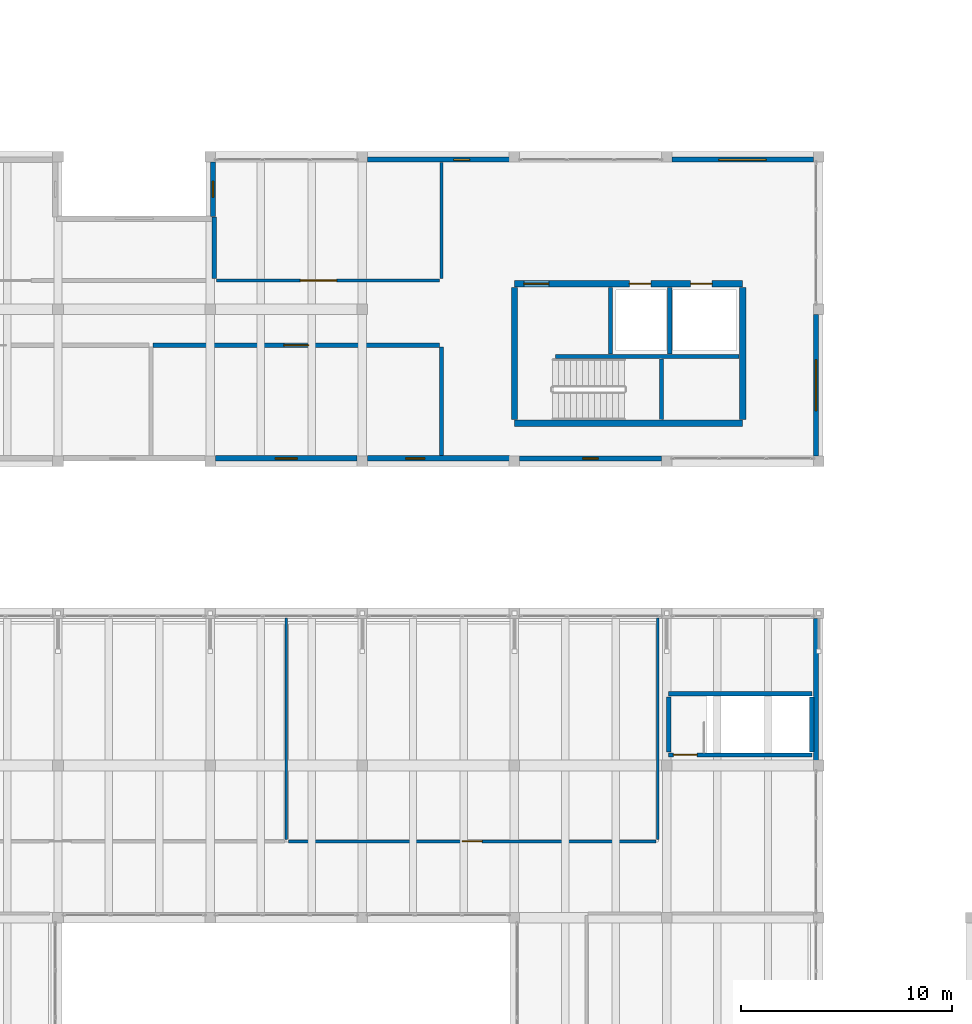
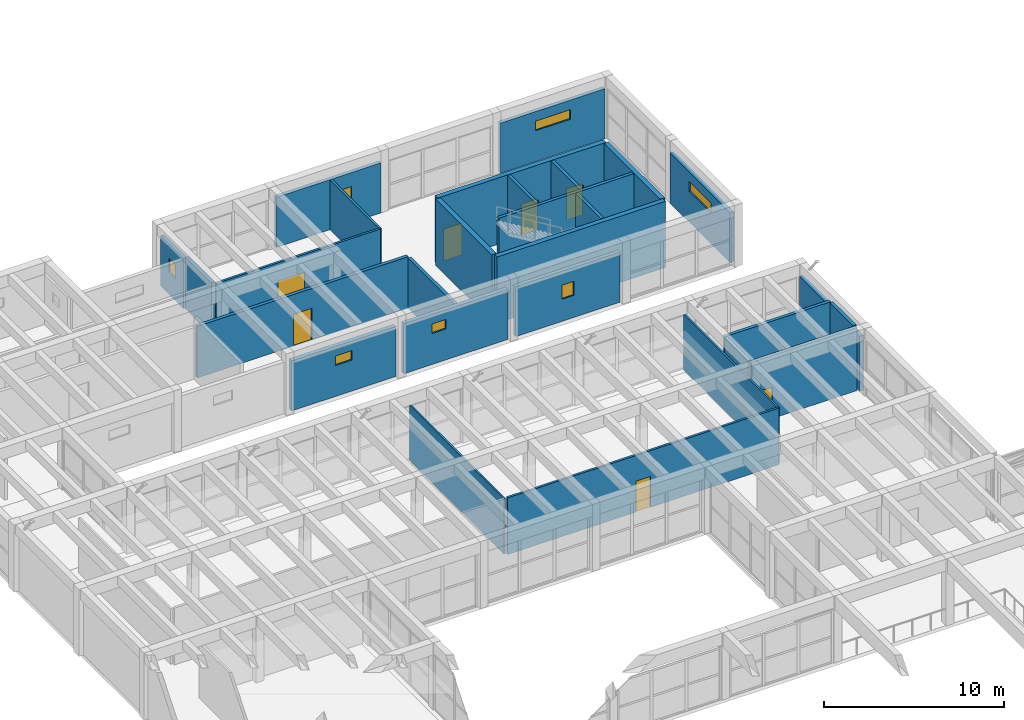
# One storey, part 141 of 153: 28 walls, 7 doors, 7 windows, 14 openings.
"""IFC4 building model written with IfcOpenShell, lengths in metres."""

from ifc_helpers import new_model, si_unit, direction, frame, frame_2d, origin, place, context, subcontext, project, spatial, rectangle, extrude, material, layer, layer_set, type_object, element, fill, save


model = new_model("IFC4")

# Units and contexts
model_context = context("Model", 3, precision=1e-05, world=origin(), true_north=direction((0.0, 1.0)))
body_context = subcontext(model_context, "Body", "Model", "MODEL_VIEW")
ifc_project = project(units=[si_unit("LENGTHUNIT", "METRE"), si_unit("AREAUNIT", "SQUARE_METRE"), si_unit("VOLUMEUNIT", "CUBIC_METRE"), si_unit("PLANEANGLEUNIT", "RADIAN"), si_unit("MASSUNIT", "GRAM", prefix="KILO")], contexts=[model_context])

# Site, building, storey
site_placement = place(None, origin())
site = spatial("IfcSite", under=ifc_project, at=site_placement, CompositionType="ELEMENT")
building_placement = place(site_placement, origin())
building = spatial("IfcBuilding", under=site, at=building_placement, Name="Bramvelor Terrace Health Centre", CompositionType="ELEMENT")
storey_placement = place(building_placement, frame((0.0, 0.0, 4.800048828125)))
storey = spatial("IfcBuildingStorey", under=building, at=storey_placement, Name="L02", CompositionType="ELEMENT", Elevation=4.800048828125)

# Walls
ifc_material_1 = material(Name="Acoustic clinical partition board", Category="gypsum")
ifc_layer_1 = layer(ifc_material_1, 0.110107421875)
ifc_layer_set_1 = layer_set([ifc_layer_1], Name="Acoustic clinical partition board")
wall_type_1 = type_object("IfcWallType", Name="WL-CLN-110", PredefinedType="PARTITIONING", material=ifc_layer_set_1)
wall_1_placement = place(storey_placement, frame((68.39990234375, 78.969970703125, 0.0), z_axis=(0.0, 0.0, 1.0), x_axis=(0.0, -1.0, 0.0)))
element("IfcWall", 1, at=wall_1_placement, inside=storey, type_object=wall_type_1, Name="L02 Interior Partition 168", PredefinedType="PARTITIONING", context=body_context, shape_type="SweptSolid", body=[
    extrude(rectangle(XDim=10.469970703125, YDim=0.110107421875, at=frame_2d((5.23486328125, 0.0))), origin(), (0.0, 0.0, 1.0), 3.75),
])
ifc_material_2 = material(Name="Acoustic clinical partition board", Category="gypsum")
ifc_layer_2 = layer(ifc_material_2, 0.1201171875)
ifc_layer_set_2 = layer_set([ifc_layer_2], Name="Acoustic clinical partition board")
wall_type_2 = type_object("IfcWallType", Name="WL-CLN-120", PredefinedType="PARTITIONING", material=ifc_layer_set_2)
wall_2_placement = place(storey_placement, frame((85.989990234375, 78.969970703125, 0.0), z_axis=(0.0, 0.0, 1.0), x_axis=(0.0, -1.0, 0.0)))
element("IfcWall", 2, at=wall_2_placement, inside=storey, type_object=wall_type_2, Name="L02 Interior Partition 170", PredefinedType="PARTITIONING", context=body_context, shape_type="SweptSolid", body=[
    extrude(rectangle(XDim=10.469970703125, YDim=0.1201171875, at=frame_2d((5.23486328125, 0.0))), origin(), (0.0, 0.0, 1.0), 3.75),
])

# Wall, opening, door
ifc_material_3 = material(Name="Fire-rated gypsum and mineral wool", Category="gypsum")
ifc_layer_3 = layer(ifc_material_3, 0.139892578125)
ifc_layer_set_3 = layer_set([ifc_layer_3], Name="Fire-rated gypsum and mineral wool")
wall_type_3 = type_object("IfcWallType", Name="WL-COR-140", PredefinedType="PARTITIONING", material=ifc_layer_set_3)
wall_3_placement = place(storey_placement, frame((85.89990234375, 68.409912109375, 0.0), z_axis=(0.0, 0.0, 1.0), x_axis=(-1.0, 0.0, 0.0)))
wall_3 = element("IfcWall", 3, at=wall_3_placement, inside=storey, type_object=wall_type_3, Name="L02 Interior Partition 171", PredefinedType="PARTITIONING", context=body_context, shape_type="SweptSolid", body=[
    extrude(rectangle(XDim=17.39990234375, YDim=0.139892578125, at=frame_2d((8.699951171875, 0.0))), origin(), (0.0, 0.0, 1.0), 3.849853515625),
])
opening_1_placement = place(wall_3_placement, frame((8.22998046875, 0.0, 0.0)))
opening_1 = element("IfcOpeningElement", 4, at=opening_1_placement, cuts=wall_3, Name="Opening FD-08", PredefinedType="OPENING", context=body_context, shape_type="SweptSolid", body=[
    extrude(rectangle(XDim=0.93994140625, YDim=2.10009765625, at=frame_2d((0.469970703125, 1.050048828125))), frame((0.0, 0.079833984375, 0.0), z_axis=(0.0, -1.0, 0.0), x_axis=(1.0, 0.0, 0.0)), (0.0, 0.0, 1.0), 0.159912109375),
])
ifc_material_4 = material(Name="Fire-rated steel and vision panel", Category="steel")
door_type_1 = type_object("IfcDoorType", Name="DR-FD60-094", OperationType="NOTDEFINED", PredefinedType="DOOR", material=ifc_material_4)
door_1_placement = place(opening_1_placement, origin())
door_1 = element("IfcDoor", 5, at=door_1_placement, inside=storey, type_object=door_type_1, Name="L02 Maternal Prenatal Classroom Fire Door", OperationType="SINGLE_SWING_RIGHT", OverallHeight=2.10009765625, OverallWidth=0.93994140625, PredefinedType="DOOR", context=body_context, shape_type="SweptSolid", body=[
    extrude(rectangle(XDim=0.93994140625, YDim=2.10009765625, at=frame_2d((0.469970703125, 1.050048828125))), frame((0.0, 0.02490234375, 0.0), z_axis=(0.0, -1.0, 0.0), x_axis=(1.0, 0.0, 0.0)), (0.0, 0.0, 1.0), 0.050048828125),
])
fill(opening_1, door_1)

wall_4_placement = place(storey_placement, frame((75.659912109375, 94.951904296875, 0.0), z_axis=(0.0, 0.0, 1.0), x_axis=(-1.0, 0.0, 0.0)))
wall_4 = element("IfcWall", 6, at=wall_4_placement, inside=storey, type_object=wall_type_3, Name="L02 Interior Partition 209", PredefinedType="PARTITIONING", context=body_context, shape_type="SweptSolid", body=[
    extrude(rectangle(XDim=10.559814453125, YDim=0.139892578125, at=frame_2d((5.27978515625, 0.0))), origin(), (0.0, 0.0, 1.0), 3.5),
])
opening_2_placement = place(wall_4_placement, frame((4.8701171875, 0.0, 0.0)))
opening_2 = element("IfcOpeningElement", 7, at=opening_2_placement, cuts=wall_4, Name="Opening FD-04", PredefinedType="OPENING", context=body_context, shape_type="SweptSolid", body=[
    extrude(rectangle(XDim=1.719970703125, YDim=2.260009765625, at=frame_2d((0.85986328125, 1.1298828125))), frame((0.0, 0.079833984375, 0.0), z_axis=(0.0, -1.0, 0.0), x_axis=(1.0, 0.0, 0.0)), (0.0, 0.0, 1.0), 0.159912109375),
])
ifc_material_5 = material(Name="Fire-rated steel and vision panel", Category="steel")
door_type_2 = type_object("IfcDoorType", Name="DR-FD90-172", OperationType="DOUBLE_DOOR_SINGLE_SWING", PredefinedType="DOOR", material=ifc_material_5)
door_2_placement = place(opening_2_placement, origin())
door_2 = element("IfcDoor", 8, at=door_2_placement, inside=storey, type_object=door_type_2, Name="L02 Radiologist Control and Reporting Room Fire Door", OperationType="DOUBLE_DOOR_SINGLE_SWING", OverallHeight=2.260009765625, OverallWidth=1.719970703125, PredefinedType="DOOR", context=body_context, shape_type="SweptSolid", body=[
    extrude(rectangle(XDim=1.719970703125, YDim=2.260009765625, at=frame_2d((0.85986328125, 1.1298828125))), frame((0.0, 0.02490234375, 0.0), z_axis=(0.0, -1.0, 0.0), x_axis=(1.0, 0.0, 0.0)), (0.0, 0.0, 1.0), 0.050048828125),
])
fill(opening_2, door_2)

# Walls
wall_5_placement = place(storey_placement, frame((75.75, 100.5400390625, 0.0), z_axis=(0.0, 0.0, 1.0), x_axis=(0.0, -1.0, 0.0)))
element("IfcWall", 9, at=wall_5_placement, inside=storey, type_object=wall_type_3, Name="L02 Interior Partition 210", PredefinedType="PARTITIONING", context=body_context, shape_type="SweptSolid", body=[
    extrude(rectangle(XDim=5.498046875, YDim=0.139892578125, at=frame_2d((2.7490234375, 0.0))), origin(), (0.0, 0.0, 1.0), 3.39990234375),
])
ifc_material_6 = material(Name="Concrete C40/50", Category="concrete")
ifc_layer_4 = layer(ifc_material_6, 0.199951171875)
ifc_layer_set_4 = layer_set([ifc_layer_4], Name="Concrete C40/50")
wall_type_4 = type_object("IfcWallType", Name="WL-CORE-200", PredefinedType="SHEAR", material=ifc_layer_set_4)
wall_6_placement = place(storey_placement, frame((81.14990234375, 91.35009765625, 0.0), z_axis=(0.0, 0.0, 1.0), x_axis=(1.0, 0.0, 0.0)))
element("IfcWall", 10, at=wall_6_placement, inside=storey, type_object=wall_type_4, Name="C4 L02 Core Shear Wall", PredefinedType="SHEAR", context=body_context, shape_type="SweptSolid", body=[
    extrude(rectangle(XDim=8.670166015625, YDim=0.199951171875, at=frame_2d((4.3349609375, 0.0))), origin(), (0.0, 0.0, 1.0), 4.5),
])
wall_7_placement = place(storey_placement, frame((86.155029296875, 88.3798828125, 0.0), z_axis=(0.0, 0.0, 1.0), x_axis=(0.0, 1.0, 0.0)))
element("IfcWall", 11, at=wall_7_placement, inside=storey, type_object=wall_type_4, Name="C4 L02 Core Shear Wall", PredefinedType="SHEAR", context=body_context, shape_type="SweptSolid", body=[
    extrude(rectangle(XDim=2.85009765625, YDim=0.199951171875, at=frame_2d((1.425048828125, 0.0))), origin(), (0.0, 0.0, 1.0), 4.5),
])
for number, where, z_axis, x_axis, name in (
    (12, (83.75, 91.469970703125, 0.0), (0.0, 0.0, 1.0), (0.0, 1.0, 0.0), "C4 L02 Core Shear Wall"),
    (13, (86.550048828125, 91.469970703125, 0.0), (0.0, 0.0, 1.0), (0.0, 1.0, 0.0), "C4 L02 Lift Divider Wall"),
):
    element("IfcWall", number, at=place(storey_placement, frame(where, z_axis=z_axis, x_axis=x_axis)), inside=storey, type_object=wall_type_4, Name=name, PredefinedType="SHEAR", context=body_context, shape_type="SweptSolid", body=[
        extrude(rectangle(XDim=3.150146484375, YDim=0.199951171875, at=frame_2d((1.5751953125, 0.0))), origin(), (0.0, 0.0, 1.0), 4.5),
    ])

# Wall, opening, door
wall_8_placement = place(storey_placement, frame((86.5, 72.5, 0.0), z_axis=(0.0, 0.0, 1.0), x_axis=(1.0, 0.0, 0.0)))
wall_8 = element("IfcWall", 14, at=wall_8_placement, inside=storey, type_object=wall_type_4, Name="ST-8 L02 Stair Shaft Wall", PredefinedType="SHEAR", context=body_context, shape_type="SweptSolid", body=[
    extrude(rectangle(XDim=6.77490234375, YDim=0.199951171875, at=frame_2d((3.387451171875, 0.0))), origin(), (0.0, 0.0, 1.0), 4.27490234375),
])
opening_3_placement = place(wall_8_placement, frame((0.219970703125, 0.0, 0.0)))
opening_3 = element("IfcOpeningElement", 15, at=opening_3_placement, cuts=wall_8, Name="Opening FD-06", PredefinedType="OPENING", context=body_context, shape_type="SweptSolid", body=[
    extrude(rectangle(XDim=1.1201171875, YDim=2.139892578125, at=frame_2d((0.56005859375, 1.06982421875))), frame((0.0, 0.10986328125, 0.0), z_axis=(0.0, -1.0, 0.0), x_axis=(1.0, 0.0, 0.0)), (0.0, 0.0, 1.0), 0.219970703125),
])
ifc_material_7 = material(Name="Fire-rated steel and vision panel", Category="steel")
door_type_3 = type_object("IfcDoorType", Name="DR-FD60-112", OperationType="NOTDEFINED", PredefinedType="DOOR", material=ifc_material_7)
door_3_placement = place(opening_3_placement, origin())
door_3 = element("IfcDoor", 16, at=door_3_placement, inside=storey, type_object=door_type_3, Name="ST-8 L02 Exit Stair Fire Door", OperationType="SINGLE_SWING_LEFT", OverallHeight=2.139892578125, OverallWidth=1.1201171875, PredefinedType="DOOR", context=body_context, shape_type="SweptSolid", body=[
    extrude(rectangle(XDim=1.1201171875, YDim=2.139892578125, at=frame_2d((0.56005859375, 1.06982421875))), frame((0.0, 0.02490234375, 0.0), z_axis=(0.0, -1.0, 0.0), x_axis=(1.0, 0.0, 0.0)), (0.0, 0.0, 1.0), 0.050048828125),
])
fill(opening_3, door_3)

# Walls
wall_9_placement = place(storey_placement, frame((86.5, 75.39990234375, 0.0), z_axis=(0.0, 0.0, 1.0), x_axis=(1.0, 0.0, 0.0)))
element("IfcWall", 17, at=wall_9_placement, inside=storey, type_object=wall_type_4, Name="ST-8 L02 Stair Shaft Wall", PredefinedType="SHEAR", context=body_context, shape_type="SweptSolid", body=[
    extrude(rectangle(XDim=6.77490234375, YDim=0.199951171875, at=frame_2d((3.387451171875, 0.0))), origin(), (0.0, 0.0, 1.0), 4.27490234375),
])
for number, where, z_axis, x_axis, name in (
    (18, (86.5, 72.64990234375, 0.0), (0.0, 0.0, 1.0), (0.0, 1.0, 0.0), "ST-8 L02 Stair Shaft Wall"),
    (19, (93.27490234375, 72.64990234375, 0.0), (0.0, 0.0, 1.0), (0.0, 1.0, 0.0), "ST-8 L02 Stair Shaft Wall"),
):
    element("IfcWall", number, at=place(storey_placement, frame(where, z_axis=z_axis, x_axis=x_axis)), inside=storey, type_object=wall_type_4, Name=name, PredefinedType="SHEAR", context=body_context, shape_type="SweptSolid", body=[
        extrude(rectangle(XDim=2.60009765625, YDim=0.199951171875, at=frame_2d((1.300048828125, 0.0))), origin(), (0.0, 0.0, 1.0), 4.27490234375),
    ])
ifc_material_8 = material(Name="Concrete C40/50", Category="concrete")
ifc_layer_5 = layer(ifc_material_8, 0.300048828125)
ifc_layer_set_5 = layer_set([ifc_layer_5], Name="Concrete C40/50")
wall_type_5 = type_object("IfcWallType", Name="WL-CORE-300", PredefinedType="SHEAR", material=ifc_layer_set_5)
wall_10_placement = place(storey_placement, frame((79.199951171875, 88.199951171875, 0.0), z_axis=(0.0, 0.0, 1.0), x_axis=(1.0, 0.0, 0.0)))
element("IfcWall", 20, at=wall_10_placement, inside=storey, type_object=wall_type_5, Name="C4 L02 Core Shear Wall", PredefinedType="SHEAR", context=body_context, shape_type="SweptSolid", body=[
    extrude(rectangle(XDim=10.800048828125, YDim=0.300048828125, at=frame_2d((5.39990234375, 0.0))), origin(), (0.0, 0.0, 1.0), 4.5),
])

# Wall, openings, doors
wall_11_placement = place(storey_placement, frame((79.199951171875, 94.800048828125, 0.0), z_axis=(0.0, 0.0, 1.0), x_axis=(1.0, 0.0, 0.0)))
wall_11 = element("IfcWall", 21, at=wall_11_placement, inside=storey, type_object=wall_type_5, Name="C4 L02 Core Shear Wall", PredefinedType="SHEAR", context=body_context, shape_type="SweptSolid", body=[
    extrude(rectangle(XDim=10.800048828125, YDim=0.300048828125, at=frame_2d((5.39990234375, 0.0))), origin(), (0.0, 0.0, 1.0), 4.5),
])
opening_4_placement = place(wall_11_placement, frame((0.449951171875, 0.0, 0.0)))
opening_4 = element("IfcOpeningElement", 22, at=opening_4_placement, cuts=wall_11, Name="Opening FD-02", PredefinedType="OPENING", context=body_context, shape_type="SweptSolid", body=[
    extrude(rectangle(XDim=1.179931640625, YDim=2.159912109375, at=frame_2d((0.58984375, 1.080078125))), frame((0.0, 0.159912109375, 0.0), z_axis=(0.0, -1.0, 0.0), x_axis=(1.0, 0.0, 0.0)), (0.0, 0.0, 1.0), 0.320068359375),
])
opening_5_placement = place(wall_11_placement, frame((5.43994140625, 0.0, 0.0)))
opening_5 = element("IfcOpeningElement", 23, at=opening_5_placement, cuts=wall_11, Name="Opening LD-2", PredefinedType="OPENING", context=body_context, shape_type="SweptSolid", body=[
    extrude(rectangle(XDim=1.02001953125, YDim=2.1201171875, at=frame_2d((0.510009765625, 1.06005859375))), frame((0.0, 0.159912109375, 0.0), z_axis=(0.0, -1.0, 0.0), x_axis=(1.0, 0.0, 0.0)), (0.0, 0.0, 1.0), 0.320068359375),
])
opening_6_placement = place(wall_11_placement, frame((8.340087890625, 0.0, 0.0)))
opening_6 = element("IfcOpeningElement", 24, at=opening_6_placement, cuts=wall_11, Name="Opening LD-2", PredefinedType="OPENING", context=body_context, shape_type="SweptSolid", body=[
    extrude(rectangle(XDim=1.02001953125, YDim=2.1201171875, at=frame_2d((0.510009765625, 1.06005859375))), frame((0.0, 0.159912109375, 0.0), z_axis=(0.0, -1.0, 0.0), x_axis=(1.0, 0.0, 0.0)), (0.0, 0.0, 1.0), 0.320068359375),
])
ifc_material_9 = material(Name="Fire-rated steel and vision panel", Category="steel")
door_type_4 = type_object("IfcDoorType", Name="DR-FD90-118", OperationType="NOTDEFINED", PredefinedType="DOOR", material=ifc_material_9)
door_4_placement = place(opening_4_placement, origin())
door_4 = element("IfcDoor", 25, at=door_4_placement, inside=storey, type_object=door_type_4, Name="C4 L02 Core Stair Fire Door", OperationType="SINGLE_SWING_LEFT", OverallHeight=2.159912109375, OverallWidth=1.179931640625, PredefinedType="DOOR", context=body_context, shape_type="SweptSolid", body=[
    extrude(rectangle(XDim=1.179931640625, YDim=2.159912109375, at=frame_2d((0.58984375, 1.080078125))), frame((0.0, 0.02490234375, 0.0), z_axis=(0.0, -1.0, 0.0), x_axis=(1.0, 0.0, 0.0)), (0.0, 0.0, 1.0), 0.050048828125),
])
fill(opening_4, door_4)
ifc_material_10 = material(Name="Brushed stainless steel 316", Category="steel")
door_type_5 = type_object("IfcDoorType", Name="DR-LIFT-PS102", OperationType="SLIDING_TO_LEFT", PredefinedType="DOOR", material=ifc_material_10)
door_5_placement = place(opening_5_placement, origin())
door_5 = element("IfcDoor", 26, at=door_5_placement, inside=storey, type_object=door_type_5, Name="Lift LS-01 L02 Sliding Landing Door", OperationType="SLIDING_TO_LEFT", OverallHeight=2.1201171875, OverallWidth=1.02001953125, PredefinedType="DOOR", context=body_context, shape_type="SweptSolid", body=[
    extrude(rectangle(XDim=1.02001953125, YDim=2.1201171875, at=frame_2d((0.510009765625, 1.06005859375))), frame((0.0, 0.02490234375, 0.0), z_axis=(0.0, -1.0, 0.0), x_axis=(1.0, 0.0, 0.0)), (0.0, 0.0, 1.0), 0.050048828125),
])
fill(opening_5, door_5)
door_6_placement = place(opening_6_placement, origin())
door_6 = element("IfcDoor", 27, at=door_6_placement, inside=storey, type_object=door_type_5, Name="Lift LS-02 L02 Sliding Landing Door", OperationType="SLIDING_TO_LEFT", OverallHeight=2.1201171875, OverallWidth=1.02001953125, PredefinedType="DOOR", context=body_context, shape_type="SweptSolid", body=[
    extrude(rectangle(XDim=1.02001953125, YDim=2.1201171875, at=frame_2d((0.510009765625, 1.06005859375))), frame((0.0, 0.02490234375, 0.0), z_axis=(0.0, -1.0, 0.0), x_axis=(1.0, 0.0, 0.0)), (0.0, 0.0, 1.0), 0.050048828125),
])
fill(opening_6, door_6)

# Walls
for number, where, z_axis, x_axis, name in (
    (28, (79.199951171875, 88.3798828125, 0.0), (0.0, 0.0, 1.0), (0.0, 1.0, 0.0), "C4 L02 Core Shear Wall"),
    (29, (90.0, 88.3798828125, 0.0), (0.0, 0.0, 1.0), (0.0, 1.0, 0.0), "C4 L02 Core Shear Wall"),
):
    element("IfcWall", number, at=place(storey_placement, frame(where, z_axis=z_axis, x_axis=x_axis)), inside=storey, type_object=wall_type_5, Name=name, PredefinedType="SHEAR", context=body_context, shape_type="SweptSolid", body=[
        extrude(rectangle(XDim=6.240234375, YDim=0.300048828125, at=frame_2d((3.1201171875, 0.0))), origin(), (0.0, 0.0, 1.0), 4.5),
    ])

# Wall, opening, window
ifc_material_11 = material(Name="Concrete C40/50", Category="concrete")
ifc_layer_6 = layer(ifc_material_11, 0.260009765625)
ifc_layer_set_6 = layer_set([ifc_layer_6], Name="Concrete C40/50")
wall_type_6 = type_object("IfcWallType", Name="WL-EXT-RAD260", PredefinedType="SOLIDWALL", material=ifc_layer_set_6)
wall_12_placement = place(storey_placement, frame((78.955078125, 86.530029296875, 0.0), z_axis=(0.0, 0.0, 1.0), x_axis=(-1.0, 0.0, 0.0)))
wall_12 = element("IfcWall", 30, at=wall_12_placement, inside=storey, type_object=wall_type_6, Name="L02 Exterior Facade Wall 40", PredefinedType="SOLIDWALL", context=body_context, shape_type="SweptSolid", body=[
    extrude(rectangle(XDim=6.7099609375, YDim=0.260009765625, at=frame_2d((3.35498046875, 0.0))), origin(), (0.0, 0.0, 1.0), 3.39990234375),
])
opening_7_placement = place(wall_12_placement, frame((4.0048828125, 0.0, 2.10009765625)))
opening_7 = element("IfcOpeningElement", 31, at=opening_7_placement, cuts=wall_12, Name="Opening WN-02", PredefinedType="OPENING", context=body_context, shape_type="SweptSolid", body=[
    extrude(rectangle(XDim=0.89990234375, YDim=0.64990234375, at=frame_2d((0.449951171875, 0.324951171875))), frame((0.0, 0.139892578125, 0.0), z_axis=(0.0, -1.0, 0.0), x_axis=(1.0, 0.0, 0.0)), (0.0, 0.0, 1.0), 0.280029296875),
])
ifc_material_12 = material(Name="Double low-E laminated glass", Category="glass")
window_type_1 = type_object("IfcWindowType", Name="WIN-EXT-02", PartitioningType="SINGLE_PANEL", PredefinedType="WINDOW", material=ifc_material_12)
window_1_placement = place(opening_7_placement, origin())
window_1 = element("IfcWindow", 32, at=window_1_placement, inside=storey, type_object=window_type_1, Name="L02 Scheduled Clinical Window 74", OverallHeight=0.64990234375, OverallWidth=0.89990234375, PartitioningType="SINGLE_PANEL", PredefinedType="WINDOW", context=body_context, shape_type="SweptSolid", body=[
    extrude(rectangle(XDim=0.89990234375, YDim=0.64990234375, at=frame_2d((0.449951171875, 0.324951171875))), frame((0.0, 0.030029296875, 0.0), z_axis=(0.0, -1.0, 0.0), x_axis=(1.0, 0.0, 0.0)), (0.0, 0.0, 1.0), 0.06005859375),
])
fill(opening_7, window_1)

wall_13_placement = place(storey_placement, frame((71.7548828125, 86.530029296875, 0.0), z_axis=(0.0, 0.0, 1.0), x_axis=(-1.0, 0.0, 0.0)))
wall_13 = element("IfcWall", 33, at=wall_13_placement, inside=storey, type_object=wall_type_6, Name="L02 Exterior Facade Wall 41", PredefinedType="SOLIDWALL", context=body_context, shape_type="SweptSolid", body=[
    extrude(rectangle(XDim=6.7099609375, YDim=0.260009765625, at=frame_2d((3.35498046875, 0.0))), origin(), (0.0, 0.0, 1.0), 3.39990234375),
])
opening_8_placement = place(wall_13_placement, frame((2.830078125, 0.0, 2.10009765625)))
opening_8 = element("IfcOpeningElement", 34, at=opening_8_placement, cuts=wall_13, Name="Opening WN-03", PredefinedType="OPENING", context=body_context, shape_type="SweptSolid", body=[
    extrude(rectangle(XDim=1.050048828125, YDim=0.64990234375, at=frame_2d((0.52490234375, 0.324951171875))), frame((0.0, 0.139892578125, 0.0), z_axis=(0.0, -1.0, 0.0), x_axis=(1.0, 0.0, 0.0)), (0.0, 0.0, 1.0), 0.280029296875),
])
ifc_material_13 = material(Name="Double low-E laminated glass", Category="glass")
window_type_2 = type_object("IfcWindowType", Name="WIN-EXT-03", PartitioningType="SINGLE_PANEL", PredefinedType="WINDOW", material=ifc_material_13)
window_2_placement = place(opening_8_placement, origin())
window_2 = element("IfcWindow", 35, at=window_2_placement, inside=storey, type_object=window_type_2, Name="L02 Scheduled Clinical Window 75", OverallHeight=0.64990234375, OverallWidth=1.050048828125, PartitioningType="SINGLE_PANEL", PredefinedType="WINDOW", context=body_context, shape_type="SweptSolid", body=[
    extrude(rectangle(XDim=1.050048828125, YDim=0.64990234375, at=frame_2d((0.52490234375, 0.324951171875))), frame((0.0, 0.030029296875, 0.0), z_axis=(0.0, -1.0, 0.0), x_axis=(1.0, 0.0, 0.0)), (0.0, 0.0, 1.0), 0.06005859375),
])
fill(opening_8, window_2)

ifc_material_14 = material(Name="Precast concrete C40/50", Category="concrete")
ifc_layer_7 = layer(ifc_material_14, 0.239990234375)
ifc_layer_set_7 = layer_set([ifc_layer_7], Name="Precast concrete C40/50")
wall_type_7 = type_object("IfcWallType", Name="WL-EXT-RC240", PredefinedType="SOLIDWALL", material=ifc_layer_set_7)
wall_14_placement = place(storey_placement, frame((64.929931640625, 97.97998046875, 0.0), z_axis=(0.0, 0.0, 1.0), x_axis=(0.0, 1.0, 0.0)))
wall_14 = element("IfcWall", 36, at=wall_14_placement, inside=storey, type_object=wall_type_7, Name="L02 Exterior Facade Wall 31", PredefinedType="SOLIDWALL", context=body_context, shape_type="SweptSolid", body=[
    extrude(rectangle(XDim=2.574951171875, YDim=0.239990234375, at=frame_2d((1.28759765625, 0.0))), origin(), (0.0, 0.0, 1.0), 3.39990234375),
])
opening_9_placement = place(wall_14_placement, frame((0.91259765625, 0.0, 1.5)))
opening_9 = element("IfcOpeningElement", 37, at=opening_9_placement, cuts=wall_14, Name="Opening WN-13", PredefinedType="OPENING", context=body_context, shape_type="SweptSolid", body=[
    extrude(rectangle(XDim=0.75, YDim=0.949951171875, at=frame_2d((0.375, 0.47509765625))), frame((0.0, 0.1298828125, 0.0), z_axis=(0.0, -1.0, 0.0), x_axis=(1.0, 0.0, 0.0)), (0.0, 0.0, 1.0), 0.260009765625),
])
ifc_material_15 = material(Name="Double low-E laminated glass", Category="glass")
window_type_3 = type_object("IfcWindowType", Name="WIN-EXT-13", PartitioningType="SINGLE_PANEL", PredefinedType="WINDOW", material=ifc_material_15)
window_3_placement = place(opening_9_placement, origin())
window_3 = element("IfcWindow", 38, at=window_3_placement, inside=storey, type_object=window_type_3, Name="L02 Scheduled Clinical Window 69", OverallHeight=0.949951171875, OverallWidth=0.75, PartitioningType="SINGLE_PANEL", PredefinedType="WINDOW", context=body_context, shape_type="SweptSolid", body=[
    extrude(rectangle(XDim=0.75, YDim=0.949951171875, at=frame_2d((0.375, 0.47509765625))), frame((0.0, 0.030029296875, 0.0), z_axis=(0.0, -1.0, 0.0), x_axis=(1.0, 0.0, 0.0)), (0.0, 0.0, 1.0), 0.06005859375),
])
fill(opening_9, window_3)

wall_15_placement = place(storey_placement, frame((72.2451171875, 100.669921875, 0.0), z_axis=(0.0, 0.0, 1.0), x_axis=(1.0, 0.0, 0.0)))
wall_15 = element("IfcWall", 39, at=wall_15_placement, inside=storey, type_object=wall_type_7, Name="L02 Exterior Facade Wall 33", PredefinedType="SOLIDWALL", context=body_context, shape_type="SweptSolid", body=[
    extrude(rectangle(XDim=6.7099609375, YDim=0.239990234375, at=frame_2d((3.35498046875, 0.0))), origin(), (0.0, 0.0, 1.0), 3.39990234375),
])
opening_10_placement = place(wall_15_placement, frame((4.080078125, 0.0, 1.5)))
opening_10 = element("IfcOpeningElement", 40, at=opening_10_placement, cuts=wall_15, Name="Opening WN-13", PredefinedType="OPENING", context=body_context, shape_type="SweptSolid", body=[
    extrude(rectangle(XDim=0.75, YDim=0.949951171875, at=frame_2d((0.375, 0.47509765625))), frame((0.0, 0.1298828125, 0.0), z_axis=(0.0, -1.0, 0.0), x_axis=(1.0, 0.0, 0.0)), (0.0, 0.0, 1.0), 0.260009765625),
])
window_4_placement = place(opening_10_placement, origin())
window_4 = element("IfcWindow", 41, at=window_4_placement, inside=storey, type_object=window_type_3, Name="L02 Scheduled Clinical Window 70", OverallHeight=0.949951171875, OverallWidth=0.75, PartitioningType="SINGLE_PANEL", PredefinedType="WINDOW", context=body_context, shape_type="SweptSolid", body=[
    extrude(rectangle(XDim=0.75, YDim=0.949951171875, at=frame_2d((0.375, 0.47509765625))), frame((0.0, 0.030029296875, 0.0), z_axis=(0.0, -1.0, 0.0), x_axis=(1.0, 0.0, 0.0)), (0.0, 0.0, 1.0), 0.06005859375),
])
fill(opening_10, window_4)

wall_16_placement = place(storey_placement, frame((86.64501953125, 100.669921875, 0.0), z_axis=(0.0, 0.0, 1.0), x_axis=(1.0, 0.0, 0.0)))
wall_16 = element("IfcWall", 42, at=wall_16_placement, inside=storey, type_object=wall_type_7, Name="L02 Exterior Facade Wall 35", PredefinedType="SOLIDWALL", context=body_context, shape_type="SweptSolid", body=[
    extrude(rectangle(XDim=6.7099609375, YDim=0.239990234375, at=frame_2d((3.35498046875, 0.0))), origin(), (0.0, 0.0, 1.0), 3.39990234375),
])
opening_11_placement = place(wall_16_placement, frame((2.22998046875, 0.0, 2.10009765625)))
opening_11 = element("IfcOpeningElement", 43, at=opening_11_placement, cuts=wall_16, Name="Opening WN-11", PredefinedType="OPENING", context=body_context, shape_type="SweptSolid", body=[
    extrude(rectangle(XDim=2.25, YDim=0.64990234375, at=frame_2d((1.125, 0.324951171875))), frame((0.0, 0.1298828125, 0.0), z_axis=(0.0, -1.0, 0.0), x_axis=(1.0, 0.0, 0.0)), (0.0, 0.0, 1.0), 0.260009765625),
])
ifc_material_16 = material(Name="Double low-E laminated glass", Category="glass")
window_type_4 = type_object("IfcWindowType", Name="WIN-EXT-11", PartitioningType="SINGLE_PANEL", PredefinedType="WINDOW", material=ifc_material_16)
window_5_placement = place(opening_11_placement, origin())
window_5 = element("IfcWindow", 44, at=window_5_placement, inside=storey, type_object=window_type_4, Name="L02 Scheduled Clinical Window 71", OverallHeight=0.64990234375, OverallWidth=2.25, PartitioningType="SINGLE_PANEL", PredefinedType="WINDOW", context=body_context, shape_type="SweptSolid", body=[
    extrude(rectangle(XDim=2.25, YDim=0.64990234375, at=frame_2d((1.125, 0.324951171875))), frame((0.0, 0.030029296875, 0.0), z_axis=(0.0, -1.0, 0.0), x_axis=(1.0, 0.0, 0.0)), (0.0, 0.0, 1.0), 0.06005859375),
])
fill(opening_11, window_5)

wall_17_placement = place(storey_placement, frame((93.469970703125, 93.35498046875, 0.0), z_axis=(0.0, 0.0, 1.0), x_axis=(0.0, -1.0, 0.0)))
wall_17 = element("IfcWall", 45, at=wall_17_placement, inside=storey, type_object=wall_type_7, Name="L02 Exterior Facade Wall 37", PredefinedType="SOLIDWALL", context=body_context, shape_type="SweptSolid", body=[
    extrude(rectangle(XDim=6.7099609375, YDim=0.239990234375, at=frame_2d((3.35498046875, 0.0))), origin(), (0.0, 0.0, 1.0), 3.39990234375),
])
opening_12_placement = place(wall_17_placement, frame((2.155029296875, 0.0, 2.10009765625)))
opening_12 = element("IfcOpeningElement", 46, at=opening_12_placement, cuts=wall_17, Name="Opening WN-12", PredefinedType="OPENING", context=body_context, shape_type="SweptSolid", body=[
    extrude(rectangle(XDim=2.39990234375, YDim=0.64990234375, at=frame_2d((1.199951171875, 0.324951171875))), frame((0.0, 0.1298828125, 0.0), z_axis=(0.0, -1.0, 0.0), x_axis=(1.0, 0.0, 0.0)), (0.0, 0.0, 1.0), 0.260009765625),
])
ifc_material_17 = material(Name="Double low-E laminated glass", Category="glass")
window_type_5 = type_object("IfcWindowType", Name="WIN-EXT-12", PartitioningType="SINGLE_PANEL", PredefinedType="WINDOW", material=ifc_material_17)
window_6_placement = place(opening_12_placement, origin())
window_6 = element("IfcWindow", 47, at=window_6_placement, inside=storey, type_object=window_type_5, Name="L02 Scheduled Clinical Window 72", OverallHeight=0.64990234375, OverallWidth=2.39990234375, PartitioningType="SINGLE_PANEL", PredefinedType="WINDOW", context=body_context, shape_type="SweptSolid", body=[
    extrude(rectangle(XDim=2.39990234375, YDim=0.64990234375, at=frame_2d((1.199951171875, 0.324951171875))), frame((0.0, 0.030029296875, 0.0), z_axis=(0.0, -1.0, 0.0), x_axis=(1.0, 0.0, 0.0)), (0.0, 0.0, 1.0), 0.06005859375),
])
fill(opening_12, window_6)

wall_18_placement = place(storey_placement, frame((86.155029296875, 86.530029296875, 0.0), z_axis=(0.0, 0.0, 1.0), x_axis=(-1.0, 0.0, 0.0)))
wall_18 = element("IfcWall", 48, at=wall_18_placement, inside=storey, type_object=wall_type_7, Name="L02 Exterior Facade Wall 39", PredefinedType="SOLIDWALL", context=body_context, shape_type="SweptSolid", body=[
    extrude(rectangle(XDim=6.7099609375, YDim=0.239990234375, at=frame_2d((3.35498046875, 0.0))), origin(), (0.0, 0.0, 1.0), 3.39990234375),
])
opening_13_placement = place(wall_18_placement, frame((2.97998046875, 0.0, 1.5)))
opening_13 = element("IfcOpeningElement", 49, at=opening_13_placement, cuts=wall_18, Name="Opening WN-13", PredefinedType="OPENING", context=body_context, shape_type="SweptSolid", body=[
    extrude(rectangle(XDim=0.75, YDim=0.949951171875, at=frame_2d((0.375, 0.47509765625))), frame((0.0, 0.1298828125, 0.0), z_axis=(0.0, -1.0, 0.0), x_axis=(1.0, 0.0, 0.0)), (0.0, 0.0, 1.0), 0.260009765625),
])
window_7_placement = place(opening_13_placement, origin())
window_7 = element("IfcWindow", 50, at=window_7_placement, inside=storey, type_object=window_type_3, Name="L02 Scheduled Clinical Window 73", OverallHeight=0.949951171875, OverallWidth=0.75, PartitioningType="SINGLE_PANEL", PredefinedType="WINDOW", context=body_context, shape_type="SweptSolid", body=[
    extrude(rectangle(XDim=0.75, YDim=0.949951171875, at=frame_2d((0.375, 0.47509765625))), frame((0.0, 0.030029296875, 0.0), z_axis=(0.0, -1.0, 0.0), x_axis=(1.0, 0.0, 0.0)), (0.0, 0.0, 1.0), 0.06005859375),
])
fill(opening_13, window_7)

# Wall
wall_19_placement = place(storey_placement, frame((93.469970703125, 78.955078125, 0.0), z_axis=(0.0, 0.0, 1.0), x_axis=(0.0, -1.0, 0.0)))
element("IfcWall", 51, at=wall_19_placement, inside=storey, type_object=wall_type_7, Name="L02 Exterior Facade Wall 51", PredefinedType="SOLIDWALL", context=body_context, shape_type="SweptSolid", body=[
    extrude(rectangle(XDim=6.7099609375, YDim=0.239990234375, at=frame_2d((3.35498046875, 0.0))), origin(), (0.0, 0.0, 1.0), 3.75),
])

# Wall, opening, door
ifc_material_18 = material(Name="Concrete C40/50", Category="concrete")
ifc_layer_8 = layer(ifc_material_18, 0.2099609375)
ifc_layer_set_8 = layer_set([ifc_layer_8], Name="Concrete C40/50")
wall_type_8 = type_object("IfcWallType", Name="WL-RAD-210", PredefinedType="SOLIDWALL", material=ifc_layer_set_8)
wall_20_placement = place(storey_placement, frame((62.10009765625, 91.89794921875, 0.0), z_axis=(0.0, 0.0, 1.0), x_axis=(1.0, 0.0, 0.0)))
wall_20 = element("IfcWall", 52, at=wall_20_placement, inside=storey, type_object=wall_type_8, Name="L02 Interior Partition 204", PredefinedType="SOLIDWALL", context=body_context, shape_type="SweptSolid", body=[
    extrude(rectangle(XDim=13.559814453125, YDim=0.2099609375, at=frame_2d((6.77978515625, 0.0))), origin(), (0.0, 0.0, 1.0), 3.5),
])
opening_14_placement = place(wall_20_placement, frame((6.18994140625, 0.0, 0.0)))
opening_14 = element("IfcOpeningElement", 53, at=opening_14_placement, cuts=wall_20, Name="Opening FD-02", PredefinedType="OPENING", context=body_context, shape_type="SweptSolid", body=[
    extrude(rectangle(XDim=1.179931640625, YDim=2.159912109375, at=frame_2d((0.58984375, 1.080078125))), frame((0.0, 0.114990234375, 0.0), z_axis=(0.0, -1.0, 0.0), x_axis=(1.0, 0.0, 0.0)), (0.0, 0.0, 1.0), 0.22998046875),
])
door_7_placement = place(opening_14_placement, origin())
door_7 = element("IfcDoor", 54, at=door_7_placement, inside=storey, type_object=door_type_4, Name="L02 Computed Tomography CT Scanner Suite Fire Door", OperationType="SINGLE_SWING_LEFT", OverallHeight=2.159912109375, OverallWidth=1.179931640625, PredefinedType="DOOR", context=body_context, shape_type="SweptSolid", body=[
    extrude(rectangle(XDim=1.179931640625, YDim=2.159912109375, at=frame_2d((0.58984375, 1.080078125))), frame((0.0, 0.02490234375, 0.0), z_axis=(0.0, -1.0, 0.0), x_axis=(1.0, 0.0, 0.0)), (0.0, 0.0, 1.0), 0.050048828125),
])
fill(opening_14, door_7)

# Walls
wall_21_placement = place(storey_placement, frame((75.75, 91.80810546875, 0.0), z_axis=(0.0, 0.0, 1.0), x_axis=(0.0, -1.0, 0.0)))
element("IfcWall", 55, at=wall_21_placement, inside=storey, type_object=wall_type_8, Name="L02 Interior Partition 205", PredefinedType="SOLIDWALL", context=body_context, shape_type="SweptSolid", body=[
    extrude(rectangle(XDim=5.13818359375, YDim=0.2099609375, at=frame_2d((2.569091796875, 0.0))), origin(), (0.0, 0.0, 1.0), 3.39990234375),
])
wall_22_placement = place(storey_placement, frame((65.0, 97.95068359375, 0.0), z_axis=(0.0, 0.0, 1.0), x_axis=(0.0, -1.0, 0.0)))
element("IfcWall", 56, at=wall_22_placement, inside=storey, type_object=wall_type_8, Name="L02 Interior Partition 206", PredefinedType="SOLIDWALL", context=body_context, shape_type="SweptSolid", body=[
    extrude(rectangle(XDim=2.90869140625, YDim=0.2099609375, at=frame_2d((1.454345703125, 0.0))), origin(), (0.0, 0.0, 1.0), 3.5),
])

save(model, "model.ifc")
